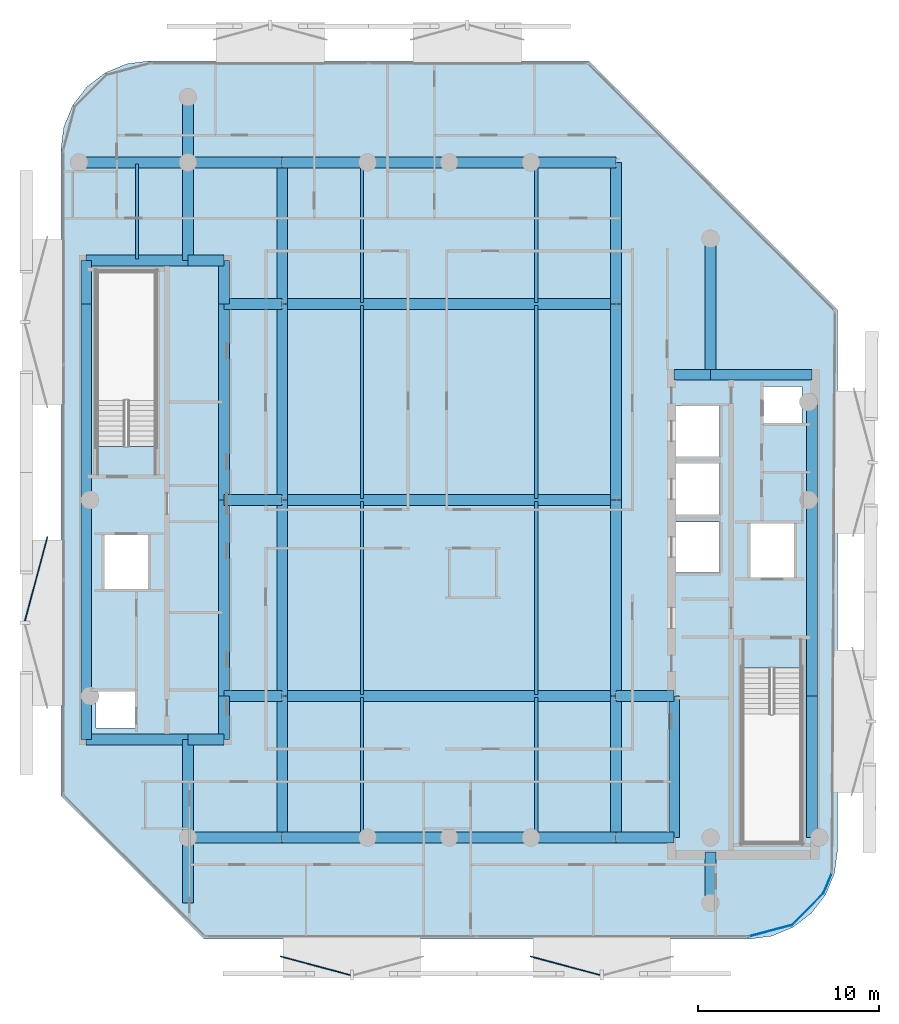
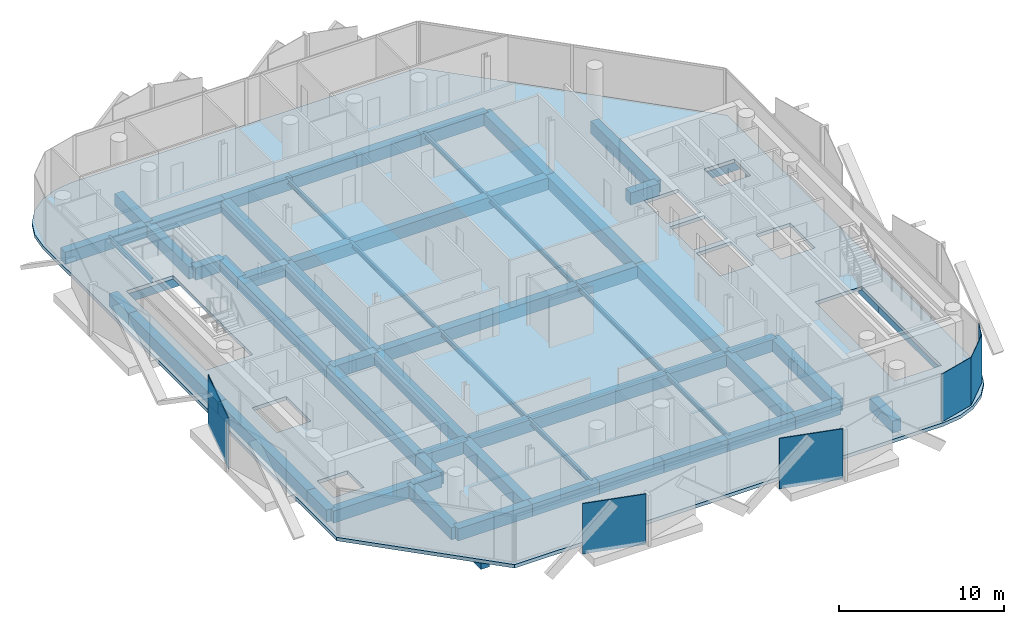
# One storey, part 3 of 16: 60 beams, 6 plates, 1 slab.
"""IFC4 building model written with IfcOpenShell, lengths in metres."""

from ifc_helpers import new_model, si_unit, direction, frame, origin, origin_2d, place, context, subcontext, project, spatial, polyline, rectangle, i_section, outline, extrude, material, layer, layer_set, material_profile, profile_set, type_object, element, save


model = new_model("IFC4")

# Units and contexts
model_context = context("Model", 3, precision=1e-05, world=origin(), true_north=direction((0.0, 1.0)))
body_context = subcontext(model_context, "Body", "Model", "MODEL_VIEW")
ifc_project = project(units=[si_unit("LENGTHUNIT", "METRE"), si_unit("AREAUNIT", "SQUARE_METRE"), si_unit("VOLUMEUNIT", "CUBIC_METRE"), si_unit("PLANEANGLEUNIT", "RADIAN"), si_unit("MASSUNIT", "GRAM", prefix="KILO")], contexts=[model_context])

# Site, building, storey
site_placement = place(None, origin())
site = spatial("IfcSite", under=ifc_project, at=site_placement, CompositionType="ELEMENT")
building_placement = place(site_placement, origin())
building = spatial("IfcBuilding", under=site, at=building_placement, Name="Khairoan Windgate Tower", CompositionType="ELEMENT")
storey_placement = place(building_placement, frame((0.0, 0.0, 300.39990234375)))
storey = spatial("IfcBuildingStorey", under=building, at=storey_placement, Name="L72", CompositionType="ELEMENT", Elevation=300.39990234375)

# Beams
ifc_material_1 = material(Name="Concrete C50/60", Category="concrete")
ifc_material_profile_1 = material_profile(ifc_material_1, rectangle(XDim=0.60009765625, YDim=0.89990234375, at=origin_2d()))
ifc_profile_set_1 = profile_set([ifc_material_profile_1], Name="Concrete C50/60")
beam_type_1 = type_object("IfcBeamType", Name="Beam B-RC1 RC600x900", PredefinedType="BEAM", material=ifc_profile_set_1)
beam_1_placement = place(storey_placement, frame((-14.39990234375, -18.60009765625, -0.7099609375), z_axis=(1.0, 0.0, 0.0), x_axis=(0.0, 1.0, 0.0)))
element("IfcBeam", 1, at=beam_1_placement, inside=storey, type_object=beam_type_1, Name="L72 E-W Primary Girder 01", PredefinedType="BEAM", context=body_context, shape_type="SweptSolid", body=[
    extrude(rectangle(XDim=0.60009765625, YDim=0.89990234375, at=origin_2d()), origin(), (0.0, 0.0, 1.0), 5.199951171875),
])
beam_2_placement = place(storey_placement, frame((-9.199951171875, -18.60009765625, -0.7099609375), z_axis=(1.0, 0.0, 0.0), x_axis=(0.0, 1.0, 0.0)))
element("IfcBeam", 2, at=beam_2_placement, inside=storey, type_object=beam_type_1, Name="L72 E-W Primary Girder 02", PredefinedType="BEAM", context=body_context, shape_type="SweptSolid", body=[
    extrude(rectangle(XDim=0.60009765625, YDim=0.89990234375, at=origin_2d()), origin(), (0.0, 0.0, 1.0), 4.699951171875),
])
for number, where, z_axis, x_axis, name in (
    (3, (-4.5, -18.60009765625, -0.7099609375), (1.0, 0.0, 0.0), (0.0, 1.0, 0.0), "L72 E-W Primary Girder 03"),
    (4, (0.0, -18.60009765625, -0.7099609375), (1.0, 0.0, 0.0), (0.0, 1.0, 0.0), "L72 E-W Primary Girder 04"),
):
    element("IfcBeam", number, at=place(storey_placement, frame(where, z_axis=z_axis, x_axis=x_axis)), inside=storey, type_object=beam_type_1, Name=name, PredefinedType="BEAM", context=body_context, shape_type="SweptSolid", body=[
        extrude(rectangle(XDim=0.60009765625, YDim=0.89990234375, at=origin_2d()), origin(), (0.0, 0.0, 1.0), 4.5),
    ])
beam_3_placement = place(storey_placement, frame((4.5, -18.60009765625, -0.7099609375), z_axis=(1.0, 0.0, 0.0), x_axis=(0.0, 1.0, 0.0)))
element("IfcBeam", 5, at=beam_3_placement, inside=storey, type_object=beam_type_1, Name="L72 E-W Primary Girder 05", PredefinedType="BEAM", context=body_context, shape_type="SweptSolid", body=[
    extrude(rectangle(XDim=0.60009765625, YDim=0.89990234375, at=origin_2d()), origin(), (0.0, 0.0, 1.0), 4.699951171875),
])
beam_4_placement = place(storey_placement, frame((9.199951171875, -18.60009765625, -0.7099609375), z_axis=(1.0, 0.0, 0.0), x_axis=(0.0, 1.0, 0.0)))
element("IfcBeam", 6, at=beam_4_placement, inside=storey, type_object=beam_type_1, Name="L72 E-W Primary Girder 06", PredefinedType="BEAM", context=body_context, shape_type="SweptSolid", body=[
    extrude(rectangle(XDim=0.60009765625, YDim=0.89990234375, at=origin_2d()), origin(), (0.0, 0.0, 1.0), 3.199951171875),
])
beam_5_placement = place(storey_placement, frame((-20.0, -13.199951171875, -0.7099609375), z_axis=(1.0, 0.0, 0.0), x_axis=(0.0, 1.0, 0.0)))
element("IfcBeam", 7, at=beam_5_placement, inside=storey, type_object=beam_type_1, Name="L72 E-W Primary Girder 07", PredefinedType="BEAM", context=body_context, shape_type="SweptSolid", body=[
    extrude(rectangle(XDim=0.60009765625, YDim=0.89990234375, at=origin_2d()), origin(), (0.0, 0.0, 1.0), 5.60009765625),
])
beam_6_placement = place(storey_placement, frame((-14.39990234375, -13.199951171875, -0.7099609375), z_axis=(1.0, 0.0, 0.0), x_axis=(0.0, 1.0, 0.0)))
element("IfcBeam", 8, at=beam_6_placement, inside=storey, type_object=beam_type_1, Name="L72 E-W Primary Girder 08", PredefinedType="BEAM", context=body_context, shape_type="SweptSolid", body=[
    extrude(rectangle(XDim=0.60009765625, YDim=0.89990234375, at=origin_2d()), origin(), (0.0, 0.0, 1.0), 2.0),
])
beam_7_placement = place(storey_placement, frame((-12.39990234375, -10.800048828125, -0.7099609375), z_axis=(1.0, 0.0, 0.0), x_axis=(0.0, 1.0, 0.0)))
element("IfcBeam", 9, at=beam_7_placement, inside=storey, type_object=beam_type_1, Name="L72 E-W Primary Girder 09", PredefinedType="BEAM", context=body_context, shape_type="SweptSolid", body=[
    extrude(rectangle(XDim=0.60009765625, YDim=0.89990234375, at=origin_2d()), origin(), (0.0, 0.0, 1.0), 3.199951171875),
])
beam_8_placement = place(storey_placement, frame((-9.199951171875, -10.800048828125, -0.7099609375), z_axis=(1.0, 0.0, 0.0), x_axis=(0.0, 1.0, 0.0)))
element("IfcBeam", 10, at=beam_8_placement, inside=storey, type_object=beam_type_1, Name="L72 E-W Primary Girder 10", PredefinedType="BEAM", context=body_context, shape_type="SweptSolid", body=[
    extrude(rectangle(XDim=0.60009765625, YDim=0.89990234375, at=origin_2d()), origin(), (0.0, 0.0, 1.0), 18.39990234375),
])
for number, where, z_axis, x_axis, name in (
    (11, (9.199951171875, -10.800048828125, -0.7099609375), (1.0, 0.0, 0.0), (0.0, 1.0, 0.0), "L72 E-W Primary Girder 11"),
    (12, (-12.39990234375, 0.0, -0.7099609375), (1.0, 0.0, 0.0), (0.0, 1.0, 0.0), "L72 E-W Primary Girder 12"),
):
    element("IfcBeam", number, at=place(storey_placement, frame(where, z_axis=z_axis, x_axis=x_axis)), inside=storey, type_object=beam_type_1, Name=name, PredefinedType="BEAM", context=body_context, shape_type="SweptSolid", body=[
        extrude(rectangle(XDim=0.60009765625, YDim=0.89990234375, at=origin_2d()), origin(), (0.0, 0.0, 1.0), 3.199951171875),
    ])
beam_9_placement = place(storey_placement, frame((-9.199951171875, 0.0, -0.7099609375), z_axis=(1.0, 0.0, 0.0), x_axis=(0.0, 1.0, 0.0)))
element("IfcBeam", 13, at=beam_9_placement, inside=storey, type_object=beam_type_1, Name="L72 E-W Primary Girder 13", PredefinedType="BEAM", context=body_context, shape_type="SweptSolid", body=[
    extrude(rectangle(XDim=0.60009765625, YDim=0.89990234375, at=origin_2d()), origin(), (0.0, 0.0, 1.0), 18.39990234375),
])
beam_10_placement = place(storey_placement, frame((12.39990234375, 6.89990234375, -0.7099609375), z_axis=(1.0, 0.0, 0.0), x_axis=(0.0, 1.0, 0.0)))
element("IfcBeam", 14, at=beam_10_placement, inside=storey, type_object=beam_type_1, Name="L72 E-W Primary Girder 14", PredefinedType="BEAM", context=body_context, shape_type="SweptSolid", body=[
    extrude(rectangle(XDim=0.60009765625, YDim=0.89990234375, at=origin_2d()), origin(), (0.0, 0.0, 1.0), 2.0),
])
beam_11_placement = place(storey_placement, frame((14.39990234375, 6.89990234375, -0.7099609375), z_axis=(1.0, 0.0, 0.0), x_axis=(0.0, 1.0, 0.0)))
element("IfcBeam", 15, at=beam_11_placement, inside=storey, type_object=beam_type_1, Name="L72 E-W Primary Girder 15", PredefinedType="BEAM", context=body_context, shape_type="SweptSolid", body=[
    extrude(rectangle(XDim=0.60009765625, YDim=0.89990234375, at=origin_2d()), origin(), (0.0, 0.0, 1.0), 5.60009765625),
])
beam_12_placement = place(storey_placement, frame((-12.39990234375, 10.800048828125, -0.7099609375), z_axis=(1.0, 0.0, 0.0), x_axis=(0.0, 1.0, 0.0)))
element("IfcBeam", 16, at=beam_12_placement, inside=storey, type_object=beam_type_1, Name="L72 E-W Primary Girder 16", PredefinedType="BEAM", context=body_context, shape_type="SweptSolid", body=[
    extrude(rectangle(XDim=0.60009765625, YDim=0.89990234375, at=origin_2d()), origin(), (0.0, 0.0, 1.0), 3.199951171875),
])
beam_13_placement = place(storey_placement, frame((-9.199951171875, 10.800048828125, -0.7099609375), z_axis=(1.0, 0.0, 0.0), x_axis=(0.0, 1.0, 0.0)))
element("IfcBeam", 17, at=beam_13_placement, inside=storey, type_object=beam_type_1, Name="L72 E-W Primary Girder 17", PredefinedType="BEAM", context=body_context, shape_type="SweptSolid", body=[
    extrude(rectangle(XDim=0.60009765625, YDim=0.89990234375, at=origin_2d()), origin(), (0.0, 0.0, 1.0), 18.39990234375),
])
beam_14_placement = place(storey_placement, frame((-20.0, 13.199951171875, -0.7099609375), z_axis=(1.0, 0.0, 0.0), x_axis=(0.0, 1.0, 0.0)))
element("IfcBeam", 18, at=beam_14_placement, inside=storey, type_object=beam_type_1, Name="L72 E-W Primary Girder 18", PredefinedType="BEAM", context=body_context, shape_type="SweptSolid", body=[
    extrude(rectangle(XDim=0.60009765625, YDim=0.89990234375, at=origin_2d()), origin(), (0.0, 0.0, 1.0), 5.60009765625),
])
beam_15_placement = place(storey_placement, frame((-14.39990234375, 13.199951171875, -0.7099609375), z_axis=(1.0, 0.0, 0.0), x_axis=(0.0, 1.0, 0.0)))
element("IfcBeam", 19, at=beam_15_placement, inside=storey, type_object=beam_type_1, Name="L72 E-W Primary Girder 19", PredefinedType="BEAM", context=body_context, shape_type="SweptSolid", body=[
    extrude(rectangle(XDim=0.60009765625, YDim=0.89990234375, at=origin_2d()), origin(), (0.0, 0.0, 1.0), 2.0),
])
beam_16_placement = place(storey_placement, frame((-20.39990234375, 18.60009765625, -0.7099609375), z_axis=(1.0, 0.0, 0.0), x_axis=(0.0, 1.0, 0.0)))
element("IfcBeam", 20, at=beam_16_placement, inside=storey, type_object=beam_type_1, Name="L72 E-W Primary Girder 20", PredefinedType="BEAM", context=body_context, shape_type="SweptSolid", body=[
    extrude(rectangle(XDim=0.60009765625, YDim=0.89990234375, at=origin_2d()), origin(), (0.0, 0.0, 1.0), 6.0),
])
beam_17_placement = place(storey_placement, frame((-14.39990234375, 18.60009765625, -0.7099609375), z_axis=(1.0, 0.0, 0.0), x_axis=(0.0, 1.0, 0.0)))
element("IfcBeam", 21, at=beam_17_placement, inside=storey, type_object=beam_type_1, Name="L72 E-W Primary Girder 21", PredefinedType="BEAM", context=body_context, shape_type="SweptSolid", body=[
    extrude(rectangle(XDim=0.60009765625, YDim=0.89990234375, at=origin_2d()), origin(), (0.0, 0.0, 1.0), 5.199951171875),
])
beam_18_placement = place(storey_placement, frame((-9.199951171875, 18.60009765625, -0.7099609375), z_axis=(1.0, 0.0, 0.0), x_axis=(0.0, 1.0, 0.0)))
element("IfcBeam", 22, at=beam_18_placement, inside=storey, type_object=beam_type_1, Name="L72 E-W Primary Girder 22", PredefinedType="BEAM", context=body_context, shape_type="SweptSolid", body=[
    extrude(rectangle(XDim=0.60009765625, YDim=0.89990234375, at=origin_2d()), origin(), (0.0, 0.0, 1.0), 4.699951171875),
])
for number, where, z_axis, x_axis, name in (
    (23, (-4.5, 18.60009765625, -0.7099609375), (1.0, 0.0, 0.0), (0.0, 1.0, 0.0), "L72 E-W Primary Girder 23"),
    (24, (0.0, 18.60009765625, -0.7099609375), (1.0, 0.0, 0.0), (0.0, 1.0, 0.0), "L72 E-W Primary Girder 24"),
):
    element("IfcBeam", number, at=place(storey_placement, frame(where, z_axis=z_axis, x_axis=x_axis)), inside=storey, type_object=beam_type_1, Name=name, PredefinedType="BEAM", context=body_context, shape_type="SweptSolid", body=[
        extrude(rectangle(XDim=0.60009765625, YDim=0.89990234375, at=origin_2d()), origin(), (0.0, 0.0, 1.0), 4.5),
    ])
beam_19_placement = place(storey_placement, frame((4.5, 18.60009765625, -0.7099609375), z_axis=(1.0, 0.0, 0.0), x_axis=(0.0, 1.0, 0.0)))
element("IfcBeam", 25, at=beam_19_placement, inside=storey, type_object=beam_type_1, Name="L72 E-W Primary Girder 25", PredefinedType="BEAM", context=body_context, shape_type="SweptSolid", body=[
    extrude(rectangle(XDim=0.60009765625, YDim=0.89990234375, at=origin_2d()), origin(), (0.0, 0.0, 1.0), 4.699951171875),
])
beam_20_placement = place(storey_placement, frame((-20.0, -13.199951171875, -0.7099609375), z_axis=(0.0, 1.0, 0.0), x_axis=(-1.0, 0.0, 0.0)))
element("IfcBeam", 26, at=beam_20_placement, inside=storey, type_object=beam_type_1, Name="L72 N-S Primary Beam 26", PredefinedType="BEAM", context=body_context, shape_type="SweptSolid", body=[
    extrude(rectangle(XDim=0.60009765625, YDim=0.89990234375, at=origin_2d()), origin(), (0.0, 0.0, 1.0), 2.39990234375),
])
for number, where, z_axis, x_axis, name in (
    (27, (-20.0, -10.800048828125, -0.7099609375), (0.0, 1.0, 0.0), (-1.0, 0.0, 0.0), "L72 N-S Primary Beam 27"),
    (28, (-20.0, 0.0, -0.7099609375), (0.0, 1.0, 0.0), (-1.0, 0.0, 0.0), "L72 N-S Primary Beam 28"),
):
    element("IfcBeam", number, at=place(storey_placement, frame(where, z_axis=z_axis, x_axis=x_axis)), inside=storey, type_object=beam_type_1, Name=name, PredefinedType="BEAM", context=body_context, shape_type="SweptSolid", body=[
        extrude(rectangle(XDim=0.60009765625, YDim=0.89990234375, at=origin_2d()), origin(), (0.0, 0.0, 1.0), 10.800048828125),
    ])
beam_21_placement = place(storey_placement, frame((-20.0, 10.800048828125, -0.7099609375), z_axis=(0.0, 1.0, 0.0), x_axis=(-1.0, 0.0, 0.0)))
element("IfcBeam", 29, at=beam_21_placement, inside=storey, type_object=beam_type_1, Name="L72 N-S Primary Beam 29", PredefinedType="BEAM", context=body_context, shape_type="SweptSolid", body=[
    extrude(rectangle(XDim=0.60009765625, YDim=0.89990234375, at=origin_2d()), origin(), (0.0, 0.0, 1.0), 2.39990234375),
])
beam_22_placement = place(storey_placement, frame((-14.39990234375, -22.199951171875, -0.7099609375), z_axis=(0.0, 1.0, 0.0), x_axis=(-1.0, 0.0, 0.0)))
element("IfcBeam", 30, at=beam_22_placement, inside=storey, type_object=beam_type_1, Name="L72 N-S Primary Beam 30", PredefinedType="BEAM", context=body_context, shape_type="SweptSolid", body=[
    extrude(rectangle(XDim=0.60009765625, YDim=0.89990234375, at=origin_2d()), origin(), (0.0, 0.0, 1.0), 3.599853515625),
])
for number, where, z_axis, x_axis, name in (
    (31, (-14.39990234375, -18.60009765625, -0.7099609375), (0.0, 1.0, 0.0), (-1.0, 0.0, 0.0), "L72 N-S Primary Beam 31"),
    (32, (-14.39990234375, 13.199951171875, -0.7099609375), (0.0, 1.0, 0.0), (-1.0, 0.0, 0.0), "L72 N-S Primary Beam 32"),
):
    element("IfcBeam", number, at=place(storey_placement, frame(where, z_axis=z_axis, x_axis=x_axis)), inside=storey, type_object=beam_type_1, Name=name, PredefinedType="BEAM", context=body_context, shape_type="SweptSolid", body=[
        extrude(rectangle(XDim=0.60009765625, YDim=0.89990234375, at=origin_2d()), origin(), (0.0, 0.0, 1.0), 5.400146484375),
    ])
beam_23_placement = place(storey_placement, frame((-14.39990234375, 18.60009765625, -0.7099609375), z_axis=(0.0, 1.0, 0.0), x_axis=(-1.0, 0.0, 0.0)))
element("IfcBeam", 33, at=beam_23_placement, inside=storey, type_object=beam_type_1, Name="L72 N-S Primary Beam 33", PredefinedType="BEAM", context=body_context, shape_type="SweptSolid", body=[
    extrude(rectangle(XDim=0.60009765625, YDim=0.89990234375, at=origin_2d()), origin(), (0.0, 0.0, 1.0), 3.599853515625),
])
beam_24_placement = place(storey_placement, frame((-12.39990234375, -13.199951171875, -0.7099609375), z_axis=(0.0, 1.0, 0.0), x_axis=(-1.0, 0.0, 0.0)))
element("IfcBeam", 34, at=beam_24_placement, inside=storey, type_object=beam_type_1, Name="L72 N-S Primary Beam 34", PredefinedType="BEAM", context=body_context, shape_type="SweptSolid", body=[
    extrude(rectangle(XDim=0.60009765625, YDim=0.89990234375, at=origin_2d()), origin(), (0.0, 0.0, 1.0), 2.39990234375),
])
for number, where, z_axis, x_axis, name in (
    (35, (-12.39990234375, -10.800048828125, -0.7099609375), (0.0, 1.0, 0.0), (-1.0, 0.0, 0.0), "L72 N-S Primary Beam 35"),
    (36, (-12.39990234375, 0.0, -0.7099609375), (0.0, 1.0, 0.0), (-1.0, 0.0, 0.0), "L72 N-S Primary Beam 36"),
):
    element("IfcBeam", number, at=place(storey_placement, frame(where, z_axis=z_axis, x_axis=x_axis)), inside=storey, type_object=beam_type_1, Name=name, PredefinedType="BEAM", context=body_context, shape_type="SweptSolid", body=[
        extrude(rectangle(XDim=0.60009765625, YDim=0.89990234375, at=origin_2d()), origin(), (0.0, 0.0, 1.0), 10.800048828125),
    ])
beam_25_placement = place(storey_placement, frame((-12.39990234375, 10.800048828125, -0.7099609375), z_axis=(0.0, 1.0, 0.0), x_axis=(-1.0, 0.0, 0.0)))
element("IfcBeam", 37, at=beam_25_placement, inside=storey, type_object=beam_type_1, Name="L72 N-S Primary Beam 37", PredefinedType="BEAM", context=body_context, shape_type="SweptSolid", body=[
    extrude(rectangle(XDim=0.60009765625, YDim=0.89990234375, at=origin_2d()), origin(), (0.0, 0.0, 1.0), 2.39990234375),
])
beam_26_placement = place(storey_placement, frame((-9.199951171875, -18.60009765625, -0.7099609375), z_axis=(0.0, 1.0, 0.0), x_axis=(-1.0, 0.0, 0.0)))
element("IfcBeam", 38, at=beam_26_placement, inside=storey, type_object=beam_type_1, Name="L72 N-S Primary Beam 38", PredefinedType="BEAM", context=body_context, shape_type="SweptSolid", body=[
    extrude(rectangle(XDim=0.60009765625, YDim=0.89990234375, at=origin_2d()), origin(), (0.0, 0.0, 1.0), 7.800048828125),
])
for number, where, z_axis, x_axis, name in (
    (39, (-9.199951171875, -10.800048828125, -0.7099609375), (0.0, 1.0, 0.0), (-1.0, 0.0, 0.0), "L72 N-S Primary Beam 39"),
    (40, (-9.199951171875, 0.0, -0.7099609375), (0.0, 1.0, 0.0), (-1.0, 0.0, 0.0), "L72 N-S Primary Beam 40"),
):
    element("IfcBeam", number, at=place(storey_placement, frame(where, z_axis=z_axis, x_axis=x_axis)), inside=storey, type_object=beam_type_1, Name=name, PredefinedType="BEAM", context=body_context, shape_type="SweptSolid", body=[
        extrude(rectangle(XDim=0.60009765625, YDim=0.89990234375, at=origin_2d()), origin(), (0.0, 0.0, 1.0), 10.800048828125),
    ])
for number, where, z_axis, x_axis, name in (
    (41, (-9.199951171875, 10.800048828125, -0.7099609375), (0.0, 1.0, 0.0), (-1.0, 0.0, 0.0), "L72 N-S Primary Beam 41"),
    (42, (9.199951171875, -18.60009765625, -0.7099609375), (0.0, 1.0, 0.0), (-1.0, 0.0, 0.0), "L72 N-S Primary Beam 42"),
):
    element("IfcBeam", number, at=place(storey_placement, frame(where, z_axis=z_axis, x_axis=x_axis)), inside=storey, type_object=beam_type_1, Name=name, PredefinedType="BEAM", context=body_context, shape_type="SweptSolid", body=[
        extrude(rectangle(XDim=0.60009765625, YDim=0.89990234375, at=origin_2d()), origin(), (0.0, 0.0, 1.0), 7.800048828125),
    ])
for number, where, z_axis, x_axis, name in (
    (43, (9.199951171875, -10.800048828125, -0.7099609375), (0.0, 1.0, 0.0), (-1.0, 0.0, 0.0), "L72 N-S Primary Beam 43"),
    (44, (9.199951171875, 0.0, -0.7099609375), (0.0, 1.0, 0.0), (-1.0, 0.0, 0.0), "L72 N-S Primary Beam 44"),
):
    element("IfcBeam", number, at=place(storey_placement, frame(where, z_axis=z_axis, x_axis=x_axis)), inside=storey, type_object=beam_type_1, Name=name, PredefinedType="BEAM", context=body_context, shape_type="SweptSolid", body=[
        extrude(rectangle(XDim=0.60009765625, YDim=0.89990234375, at=origin_2d()), origin(), (0.0, 0.0, 1.0), 10.800048828125),
    ])
for number, where, z_axis, x_axis, name in (
    (45, (9.199951171875, 10.800048828125, -0.7099609375), (0.0, 1.0, 0.0), (-1.0, 0.0, 0.0), "L72 N-S Primary Beam 45"),
    (46, (12.39990234375, -18.60009765625, -0.7099609375), (0.0, 1.0, 0.0), (-1.0, 0.0, 0.0), "L72 N-S Primary Beam 46"),
):
    element("IfcBeam", number, at=place(storey_placement, frame(where, z_axis=z_axis, x_axis=x_axis)), inside=storey, type_object=beam_type_1, Name=name, PredefinedType="BEAM", context=body_context, shape_type="SweptSolid", body=[
        extrude(rectangle(XDim=0.60009765625, YDim=0.89990234375, at=origin_2d()), origin(), (0.0, 0.0, 1.0), 7.800048828125),
    ])
beam_27_placement = place(storey_placement, frame((14.39990234375, -22.199951171875, -0.7099609375), z_axis=(0.0, 1.0, 0.0), x_axis=(-1.0, 0.0, 0.0)))
element("IfcBeam", 47, at=beam_27_placement, inside=storey, type_object=beam_type_1, Name="L72 N-S Primary Beam 47", PredefinedType="BEAM", context=body_context, shape_type="SweptSolid", body=[
    extrude(rectangle(XDim=0.60009765625, YDim=0.89990234375, at=origin_2d()), origin(), (0.0, 0.0, 1.0), 2.800048828125),
])
beam_28_placement = place(storey_placement, frame((14.39990234375, 6.89990234375, -0.7099609375), z_axis=(0.0, 1.0, 0.0), x_axis=(-1.0, 0.0, 0.0)))
element("IfcBeam", 48, at=beam_28_placement, inside=storey, type_object=beam_type_1, Name="L72 N-S Primary Beam 48", PredefinedType="BEAM", context=body_context, shape_type="SweptSolid", body=[
    extrude(rectangle(XDim=0.60009765625, YDim=0.89990234375, at=origin_2d()), origin(), (0.0, 0.0, 1.0), 7.5),
])
beam_29_placement = place(storey_placement, frame((20.0, -18.60009765625, -0.7099609375), z_axis=(0.0, 1.0, 0.0), x_axis=(-1.0, 0.0, 0.0)))
element("IfcBeam", 49, at=beam_29_placement, inside=storey, type_object=beam_type_1, Name="L72 N-S Primary Beam 49", PredefinedType="BEAM", context=body_context, shape_type="SweptSolid", body=[
    extrude(rectangle(XDim=0.60009765625, YDim=0.89990234375, at=origin_2d()), origin(), (0.0, 0.0, 1.0), 7.800048828125),
])
beam_30_placement = place(storey_placement, frame((20.0, -10.800048828125, -0.7099609375), z_axis=(0.0, 1.0, 0.0), x_axis=(-1.0, 0.0, 0.0)))
element("IfcBeam", 50, at=beam_30_placement, inside=storey, type_object=beam_type_1, Name="L72 N-S Primary Beam 50", PredefinedType="BEAM", context=body_context, shape_type="SweptSolid", body=[
    extrude(rectangle(XDim=0.60009765625, YDim=0.89990234375, at=origin_2d()), origin(), (0.0, 0.0, 1.0), 10.800048828125),
])
beam_31_placement = place(storey_placement, frame((20.0, 0.0, -0.7099609375), z_axis=(0.0, 1.0, 0.0), x_axis=(-1.0, 0.0, 0.0)))
element("IfcBeam", 51, at=beam_31_placement, inside=storey, type_object=beam_type_1, Name="L72 N-S Primary Beam 51", PredefinedType="BEAM", context=body_context, shape_type="SweptSolid", body=[
    extrude(rectangle(XDim=0.60009765625, YDim=0.89990234375, at=origin_2d()), origin(), (0.0, 0.0, 1.0), 5.39990234375),
])
ifc_material_2 = material(Name="Steel S355", Category="steel")
ifc_material_profile_2 = material_profile(ifc_material_2, i_section(OverallWidth=0.175048828125, OverallDepth=0.35009765625, WebThickness=0.007080078125, FlangeThickness=0.010986328125, FilletRadius=0.013916015625, at=origin_2d()))
ifc_profile_set_2 = profile_set([ifc_material_profile_2], Name="Steel S355")
beam_type_2 = type_object("IfcBeamType", Name="Beam J-S5 H350x175x7x11", PredefinedType="JOIST", material=ifc_profile_set_2)
beam_32_placement = place(storey_placement, frame((-17.199951171875, 13.2900390625, -0.434814453125), z_axis=(0.0, 1.0, 0.0), x_axis=(-1.0, 0.0, 0.0)))
element("IfcBeam", 52, at=beam_32_placement, inside=storey, type_object=beam_type_2, Name="L72 Secondary Floor Joist 01", PredefinedType="JOIST", context=body_context, shape_type="SweptSolid", body=[
    extrude(i_section(OverallWidth=0.175048828125, OverallDepth=0.35009765625, WebThickness=0.007080078125, FlangeThickness=0.010986328125, FilletRadius=0.013916015625, at=origin_2d()), origin(), (0.0, 0.0, 1.0), 5.219970703125),
])
beam_33_placement = place(storey_placement, frame((-4.800048828125, -18.510009765625, -0.434814453125), z_axis=(0.0, 1.0, 0.0), x_axis=(-1.0, 0.0, 0.0)))
element("IfcBeam", 53, at=beam_33_placement, inside=storey, type_object=beam_type_2, Name="L72 Secondary Floor Joist 02", PredefinedType="JOIST", context=body_context, shape_type="SweptSolid", body=[
    extrude(i_section(OverallWidth=0.175048828125, OverallDepth=0.35009765625, WebThickness=0.007080078125, FlangeThickness=0.010986328125, FilletRadius=0.013916015625, at=origin_2d()), origin(), (0.0, 0.0, 1.0), 7.6201171875),
])
for number, where, z_axis, x_axis, name in (
    (54, (-4.800048828125, -10.7099609375, -0.434814453125), (0.0, 1.0, 0.0), (-1.0, 0.0, 0.0), "L72 Secondary Floor Joist 03"),
    (55, (-4.800048828125, 0.090087890625, -0.434814453125), (0.0, 1.0, 0.0), (-1.0, 0.0, 0.0), "L72 Secondary Floor Joist 04"),
):
    element("IfcBeam", number, at=place(storey_placement, frame(where, z_axis=z_axis, x_axis=x_axis)), inside=storey, type_object=beam_type_2, Name=name, PredefinedType="JOIST", context=body_context, shape_type="SweptSolid", body=[
        extrude(i_section(OverallWidth=0.175048828125, OverallDepth=0.35009765625, WebThickness=0.007080078125, FlangeThickness=0.010986328125, FilletRadius=0.013916015625, at=origin_2d()), origin(), (0.0, 0.0, 1.0), 10.619873046875),
    ])
for number, where, z_axis, x_axis, name in (
    (56, (-4.800048828125, 10.889892578125, -0.434814453125), (0.0, 1.0, 0.0), (-1.0, 0.0, 0.0), "L72 Secondary Floor Joist 05"),
    (57, (4.800048828125, -18.510009765625, -0.434814453125), (0.0, 1.0, 0.0), (-1.0, 0.0, 0.0), "L72 Secondary Floor Joist 06"),
):
    element("IfcBeam", number, at=place(storey_placement, frame(where, z_axis=z_axis, x_axis=x_axis)), inside=storey, type_object=beam_type_2, Name=name, PredefinedType="JOIST", context=body_context, shape_type="SweptSolid", body=[
        extrude(i_section(OverallWidth=0.175048828125, OverallDepth=0.35009765625, WebThickness=0.007080078125, FlangeThickness=0.010986328125, FilletRadius=0.013916015625, at=origin_2d()), origin(), (0.0, 0.0, 1.0), 7.6201171875),
    ])
for number, where, z_axis, x_axis, name in (
    (58, (4.800048828125, -10.7099609375, -0.434814453125), (0.0, 1.0, 0.0), (-1.0, 0.0, 0.0), "L72 Secondary Floor Joist 07"),
    (59, (4.800048828125, 0.090087890625, -0.434814453125), (0.0, 1.0, 0.0), (-1.0, 0.0, 0.0), "L72 Secondary Floor Joist 08"),
):
    element("IfcBeam", number, at=place(storey_placement, frame(where, z_axis=z_axis, x_axis=x_axis)), inside=storey, type_object=beam_type_2, Name=name, PredefinedType="JOIST", context=body_context, shape_type="SweptSolid", body=[
        extrude(i_section(OverallWidth=0.175048828125, OverallDepth=0.35009765625, WebThickness=0.007080078125, FlangeThickness=0.010986328125, FilletRadius=0.013916015625, at=origin_2d()), origin(), (0.0, 0.0, 1.0), 10.619873046875),
    ])
beam_34_placement = place(storey_placement, frame((4.800048828125, 10.889892578125, -0.434814453125), z_axis=(0.0, 1.0, 0.0), x_axis=(-1.0, 0.0, 0.0)))
element("IfcBeam", 60, at=beam_34_placement, inside=storey, type_object=beam_type_2, Name="L72 Secondary Floor Joist 09", PredefinedType="JOIST", context=body_context, shape_type="SweptSolid", body=[
    extrude(i_section(OverallWidth=0.175048828125, OverallDepth=0.35009765625, WebThickness=0.007080078125, FlangeThickness=0.010986328125, FilletRadius=0.013916015625, at=origin_2d()), origin(), (0.0, 0.0, 1.0), 7.6201171875),
])

# Plates
ifc_material_3 = material(Name="Low-E Solar Control Laminated Glass", Category="glass")
ifc_layer_1 = layer(ifc_material_3, 0.030029296875, Name="Low-E Solar Control Laminated Glass")
ifc_layer_set_1 = layer_set([ifc_layer_1], Name="Low-E Solar Control Laminated Glass")
plate_type_1 = type_object("IfcPlateType", Name="Aerodynamic Wind-Corner Curved Glazing Plate", PredefinedType="USERDEFINED", material=ifc_layer_set_1)
plate_1_placement = place(storey_placement, frame((20.85888671875, -21.105712890625, 0.0), z_axis=(0.0, 0.0, 1.0), x_axis=(-0.382683432365, -0.923879532511, 0.0)))
element("IfcPlate", 61, at=plate_1_placement, inside=storey, type_object=plate_type_1, Name="L72 Aerodynamic Wind-Corner Curved Glazing Panel 10", ObjectType="GLAZING PANEL", PredefinedType="USERDEFINED", context=body_context, shape_type="SweptSolid", body=[
    extrude(rectangle(XDim=1.2822265625, YDim=0.035888671875, at=origin_2d()), origin(), (0.0, 0.0, 1.0), 3.5400390625),
])
plate_2_placement = place(storey_placement, frame((19.750244140625, -22.55029296875, 0.0), z_axis=(0.0, 0.0, 1.0), x_axis=(-0.707106781187, -0.707106781187, 0.0)))
element("IfcPlate", 62, at=plate_2_placement, inside=storey, type_object=plate_type_1, Name="L72 Aerodynamic Wind-Corner Curved Glazing Panel 11", ObjectType="GLAZING PANEL", PredefinedType="USERDEFINED", context=body_context, shape_type="SweptSolid", body=[
    extrude(rectangle(XDim=2.50341796875, YDim=0.035888671875, at=origin_2d()), origin(), (0.0, 0.0, 1.0), 3.5400390625),
])
plate_3_placement = place(storey_placement, frame((17.68505859375, -23.740478515625, 0.0), z_axis=(0.0, 0.0, 1.0), x_axis=(-0.966061211211, -0.258313252067, 0.0)))
element("IfcPlate", 63, at=plate_3_placement, inside=storey, type_object=plate_type_1, Name="L72 Aerodynamic Wind-Corner Curved Glazing Panel 12", ObjectType="GLAZING PANEL", PredefinedType="USERDEFINED", context=body_context, shape_type="SweptSolid", body=[
    extrude(rectangle(XDim=2.512451171875, YDim=0.035888671875, at=origin_2d()), origin(), (0.0, 0.0, 1.0), 3.5400390625),
])
ifc_material_4 = material(Name="Anodised Bronze Aluminium 6063-T6", Category="aluminium")
ifc_layer_2 = layer(ifc_material_4, 0.054931640625, Name="Anodised Bronze Aluminium 6063-T6")
ifc_layer_set_2 = layer_set([ifc_layer_2], Name="Anodised Bronze Aluminium 6063-T6")
plate_type_2 = type_object("IfcPlateType", Name="Perforated Bronze Solar Screen Upper Panel BSP-2", PredefinedType="USERDEFINED", material=ifc_layer_set_2)
for number, where, z_axis, x_axis, name in (
    (64, (6.3896484375, -25.663330078125, -0.10009765625), (0.0, 0.0, 1.0), (-0.965925826289, 0.258819045103, 0.0), "L72 Perforated Bronze Solar Screen Panel 502R"),
    (65, (-7.376708984375, -25.663330078125, -0.10009765625), (0.0, 0.0, 1.0), (-0.965925826289, 0.258819045103, 0.0), "L72 Perforated Bronze Solar Screen Panel 503R"),
):
    element("IfcPlate", number, at=place(storey_placement, frame(where, z_axis=z_axis, x_axis=x_axis)), inside=storey, type_object=plate_type_2, Name=name, ObjectType="SCREEN", PredefinedType="USERDEFINED", context=body_context, shape_type="SweptSolid", body=[
        extrude(rectangle(XDim=3.991943359375, YDim=0.054931640625, at=origin_2d()), origin(), (0.0, 0.0, 1.0), 3.739990234375),
    ])
plate_4_placement = place(storey_placement, frame((-22.75830078125, -4.3486328125, -0.10009765625), z_axis=(0.0, 0.0, 1.0), x_axis=(0.258819045103, 0.965925826289, 0.0)))
element("IfcPlate", 66, at=plate_4_placement, inside=storey, type_object=plate_type_2, Name="L72 Perforated Bronze Solar Screen Panel 504R", ObjectType="SCREEN", PredefinedType="USERDEFINED", context=body_context, shape_type="SweptSolid", body=[
    extrude(rectangle(XDim=4.803955078125, YDim=0.054931640625, at=origin_2d()), origin(), (0.0, 0.0, 1.0), 3.739990234375),
])

# Slab
ifc_material_5 = material(Name="Concrete C40/50", Category="concrete")
ifc_layer_3 = layer(ifc_material_5, 0.260009765625, Name="Concrete C40/50")
ifc_layer_set_3 = layer_set([ifc_layer_3], Name="Concrete C40/50")
slab_type = type_object("IfcSlabType", Name="Tower Composite Floor Slab FS2 260mm", PredefinedType="FLOOR", material=ifc_layer_set_3)
slab_placement = place(storey_placement, frame((0.0, 0.0, -0.260009765625)))
element("IfcSlab", 67, at=slab_placement, inside=storey, type_object=slab_type, Name="L72 Structural Floor Slab", PredefinedType="FLOOR", context=body_context, shape_type="SweptSolid", body=[
    extrude(outline(polyline([(16.5, -24.199951171875), (17.768310546875, -24.032958984375), (18.949951171875, -23.54345703125), (19.96484375, -22.764892578125), (20.743408203125, -21.75), (21.23291015625, -20.568115234375), (21.39990234375, -19.300048828125), (21.39990234375, 10.47998046875), (7.679931640625, 24.199951171875), (-16.5, 24.199951171875), (-17.768310546875, 24.032958984375), (-18.949951171875, 23.54345703125), (-19.96484375, 22.764892578125), (-20.743408203125, 21.75), (-21.23291015625, 20.568115234375), (-21.39990234375, 19.300048828125), (-21.39990234375, -16.300048828125), (-13.5, -24.199951171875), (16.5, -24.199951171875)]), holes=[polyline([(16.14990234375, -9.260009765625), (16.14990234375, -18.89990234375), (19.419921875, -18.89990234375), (19.419921875, -9.260009765625), (16.14990234375, -9.260009765625)]), polyline([(-16.14990234375, 2.9599609375), (-16.14990234375, 12.60009765625), (-19.419921875, 12.60009765625), (-19.419921875, 2.9599609375), (-16.14990234375, 2.9599609375)]), polyline([(12.5, 2.39990234375), (14.89990234375, 2.39990234375), (14.89990234375, 5.199951171875), (12.5, 5.199951171875), (12.5, 2.39990234375)]), polyline([(12.5, -0.800048828125), (14.89990234375, -0.800048828125), (14.89990234375, 2.0), (12.5, 2.0), (12.5, -0.800048828125)]), polyline([(12.5, -4.0), (14.89990234375, -4.0), (14.89990234375, -1.199951171875), (12.5, -1.199951171875), (12.5, -4.0)]), polyline([(16.60009765625, -4.300048828125), (19.0, -4.300048828125), (19.0, -1.300048828125), (16.60009765625, -1.300048828125), (16.60009765625, -4.300048828125)]), polyline([(-19.0, -4.89990234375), (-16.60009765625, -4.89990234375), (-16.60009765625, -1.89990234375), (-19.0, -1.89990234375), (-19.0, -4.89990234375)]), polyline([(-19.449951171875, -12.550048828125), (-17.31005859375, -12.550048828125), (-17.31005859375, -10.550048828125), (-19.449951171875, -10.550048828125), (-19.449951171875, -12.550048828125)]), polyline([(17.31005859375, 4.25), (19.449951171875, 4.25), (19.449951171875, 6.25), (17.31005859375, 6.25), (17.31005859375, 4.25)])]), origin(), (0.0, 0.0, 1.0), 0.260009765625),
])

save(model, "model.ifc")
